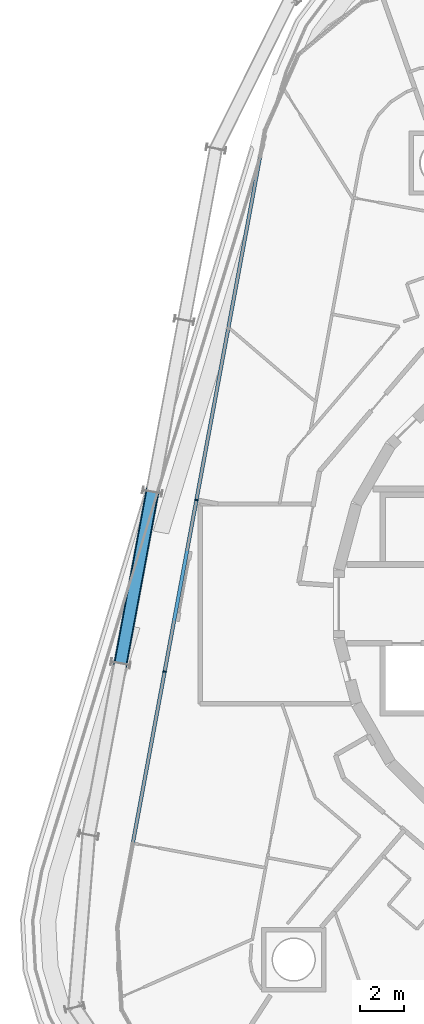
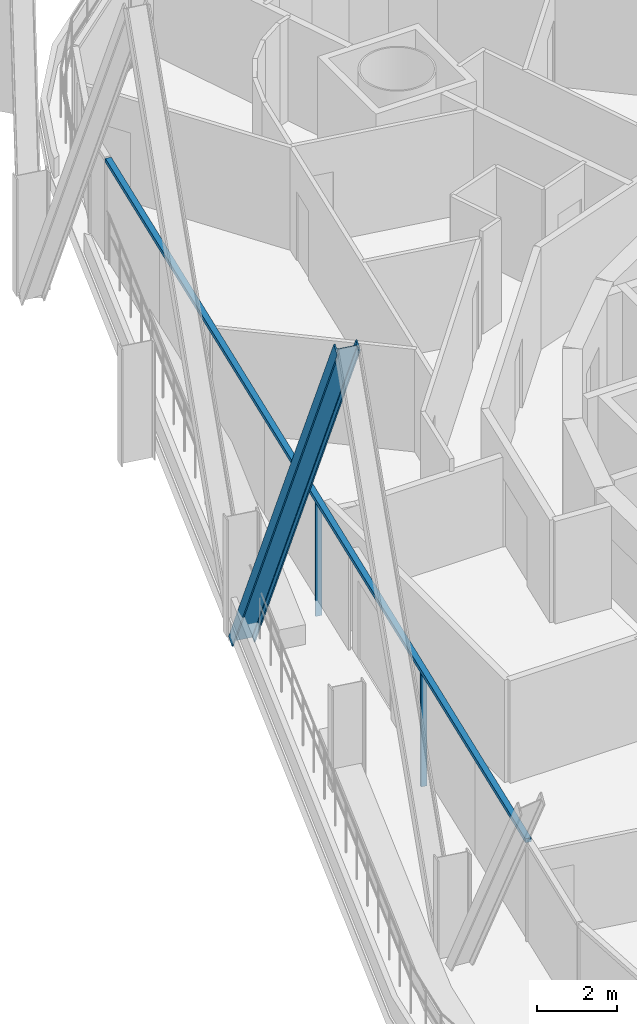
# One storey, part 4 of 25: 4 members, 1 element without a shape of its own.
"""IFC4 building model written with IfcOpenShell, lengths in metres."""

from ifc_helpers import new_model, si_unit, direction, frame, origin, origin_2d, place, context, subcontext, project, spatial, rectangle, i_section, extrude, material, layer, layer_set, material_profile, profile_set, type_object, element, aggregate, save


model = new_model("IFC4")

# Units and contexts
model_context = context("Model", 3, precision=1e-05, world=origin(), true_north=direction((0.0, 1.0)))
body_context = subcontext(model_context, "Body", "Model", "MODEL_VIEW")
ifc_project = project(units=[si_unit("LENGTHUNIT", "METRE"), si_unit("AREAUNIT", "SQUARE_METRE"), si_unit("VOLUMEUNIT", "CUBIC_METRE"), si_unit("PLANEANGLEUNIT", "RADIAN"), si_unit("MASSUNIT", "GRAM", prefix="KILO")], contexts=[model_context])

# Site, building, storey
site_placement = place(None, origin())
site = spatial("IfcSite", under=ifc_project, at=site_placement, CompositionType="ELEMENT")
building_placement = place(site_placement, origin())
building = spatial("IfcBuilding", under=site, at=building_placement, Name="Spindle Arch Residences", CompositionType="ELEMENT")
storey_placement = place(building_placement, frame((0.0, 0.0, 151.699951171875)))
storey = spatial("IfcBuildingStorey", under=building, at=storey_placement, Name="L37", CompositionType="ELEMENT", Elevation=151.699951171875)

# Curtain wall, members
ifc_material_1 = material(Name="Aluminium bronze unitised frame with tinted glass", Category="aluminium")
ifc_layer = layer(ifc_material_1, 0.159912109375)
ifc_layer_set = layer_set([ifc_layer], Name="CW-C typical residential unitised wall")
curtain_wall_type = type_object("IfcCurtainWallType", Name="CW-C typical residential unitised wall", PredefinedType="NOTDEFINED", material=ifc_layer_set)
curtain_wall_placement = place(storey_placement, origin())
curtain_wall = element("IfcCurtainWall", 1, at=curtain_wall_placement, inside=storey, type_object=curtain_wall_type, Name="CW-C L37 run 4", PredefinedType="NOTDEFINED")
ifc_material_2 = material(Name="Aluminium bronze anodised mullion", Category="aluminium")
ifc_material_profile_1 = material_profile(ifc_material_2, rectangle(XDim=0.159912109375, YDim=0.06005859375, at=origin_2d()), Name="MU 60x160")
ifc_profile_set_1 = profile_set([ifc_material_profile_1], Name="Aluminium bronze anodised mullion")
member_type_1 = type_object("IfcMemberType", Name="Bronze mullion 60x160", PredefinedType="MULLION", material=ifc_profile_set_1)
member_1_placement = place(storey_placement, frame((-18.0625, 4.679931640625, -0.449951171875), z_axis=(0.0, 0.0, 1.0), x_axis=(0.983254907564, -0.182235525492, 0.0)))
member_1 = element("IfcMember", 2, at=member_1_placement, type_object=member_type_1, Name="CW-C mullion 14", PredefinedType="MULLION", context=body_context, shape_type="SweptSolid", body=[
    extrude(rectangle(XDim=0.159912109375, YDim=0.06005859375, at=origin_2d()), origin(), (0.0, 0.0, 1.0), 3.449951171875),
])
member_2_placement = place(storey_placement, frame((-19.494873046875, -3.04833984375, -0.449951171875), z_axis=(0.0, 0.0, 1.0), x_axis=(0.983254907564, -0.182235525492, 0.0)))
member_2 = element("IfcMember", 3, at=member_2_placement, type_object=member_type_1, Name="CW-C mullion 15", PredefinedType="MULLION", context=body_context, shape_type="SweptSolid", body=[
    extrude(rectangle(XDim=0.159912109375, YDim=0.06005859375, at=origin_2d()), origin(), (0.0, 0.0, 1.0), 3.449951171875),
])
ifc_material_3 = material(Name="Aluminium bronze anodised transom", Category="aluminium")
ifc_material_profile_2 = material_profile(ifc_material_3, rectangle(XDim=0.159912109375, YDim=0.1201171875, at=origin_2d()), Name="TR 120x160")
ifc_profile_set_2 = profile_set([ifc_material_profile_2], Name="Aluminium bronze anodised transom")
member_type_2 = type_object("IfcMemberType", Name="Bronze transom 120x160", PredefinedType="USERDEFINED", material=ifc_profile_set_2)
member_3_placement = place(storey_placement, frame((-15.203125, 20.107421875, 3.06005859375), z_axis=(-0.182240536166, -0.983253978877, 0.0), x_axis=(0.983253978877, -0.182240536166, 0.0)))
member_3 = element("IfcMember", 4, at=member_3_placement, type_object=member_type_2, Name="CW-C transom 00", ObjectType="TRANSOM", PredefinedType="USERDEFINED", context=body_context, shape_type="SweptSolid", body=[
    extrude(rectangle(XDim=0.159912109375, YDim=0.1201171875, at=origin_2d()), origin(), (0.0, 0.0, 1.0), 31.380126953125),
])
aggregate(curtain_wall, [member_3, member_1, member_2])

# Member
ifc_material_4 = material(Name="Steel S460ML, intumescent coating R 240", Category="steel")
ifc_material_profile_3 = material_profile(ifc_material_4, i_section(OverallWidth=0.304931640625, OverallDepth=0.6201171875, WebThickness=0.02099609375, FlangeThickness=0.0400390625, FilletRadius=0.027099609375, at=origin_2d()), Name="HEM 600")
ifc_profile_set_3 = profile_set([ifc_material_profile_3], Name="Steel S460ML, intumescent coating R 240")
member_type_3 = type_object("IfcMemberType", Name="Diagrid diagonal HEM 600", PredefinedType="BRACE", material=ifc_profile_set_3)
member_4_placement = place(storey_placement, frame((-20.048583984375, 5.048095703125, -0.699951171875), z_axis=(-0.088890034233, -0.479533558907, 0.873009809622), x_axis=(0.159117183949, 0.858386771489, 0.487702647424)))
element("IfcMember", 5, at=member_4_placement, inside=storey, type_object=member_type_3, Name="Diagrid diagonal 4.1.15", PredefinedType="BRACE", context=body_context, shape_type="SweptSolid", body=[
    extrude(i_section(OverallWidth=0.304931640625, OverallDepth=0.6201171875, WebThickness=0.02099609375, FlangeThickness=0.0400390625, FilletRadius=0.027099609375, at=origin_2d()), origin(), (0.0, 0.0, 1.0), 16.11669921875),
])

save(model, "model.ifc")
